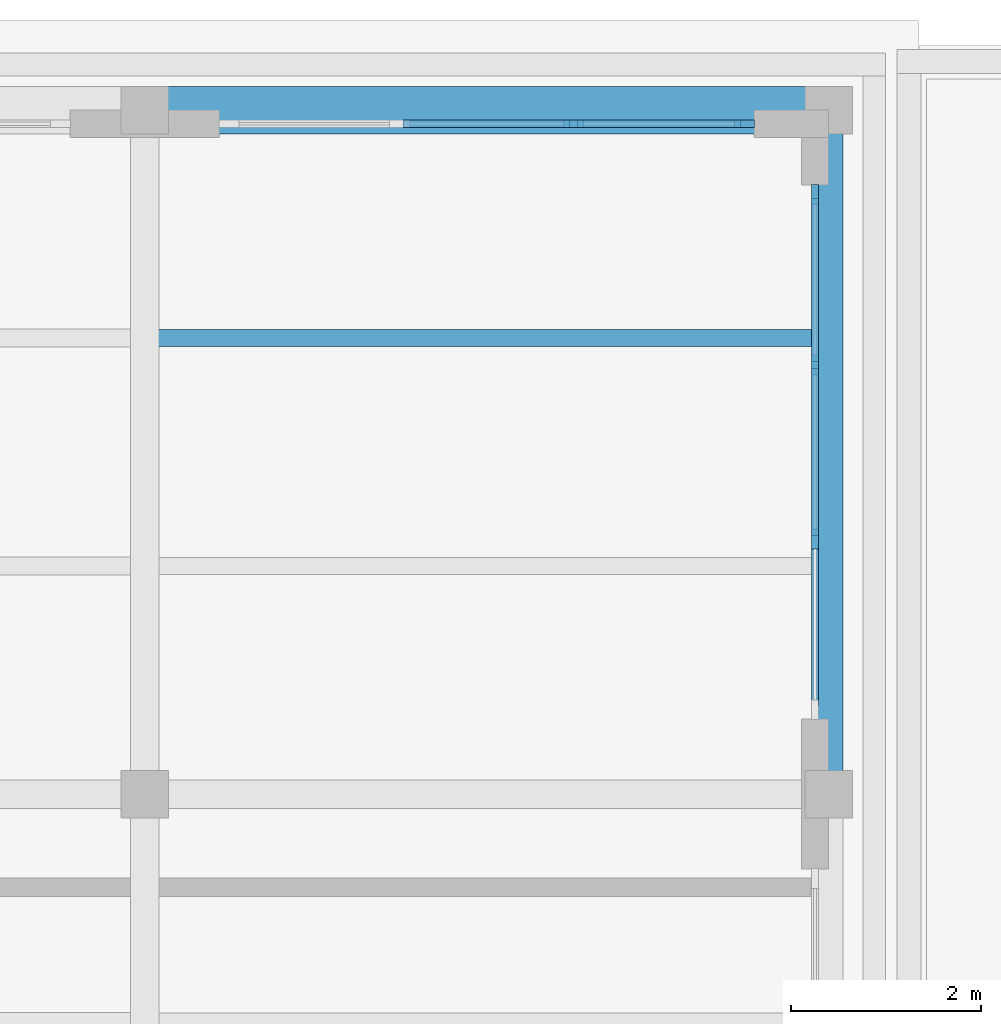
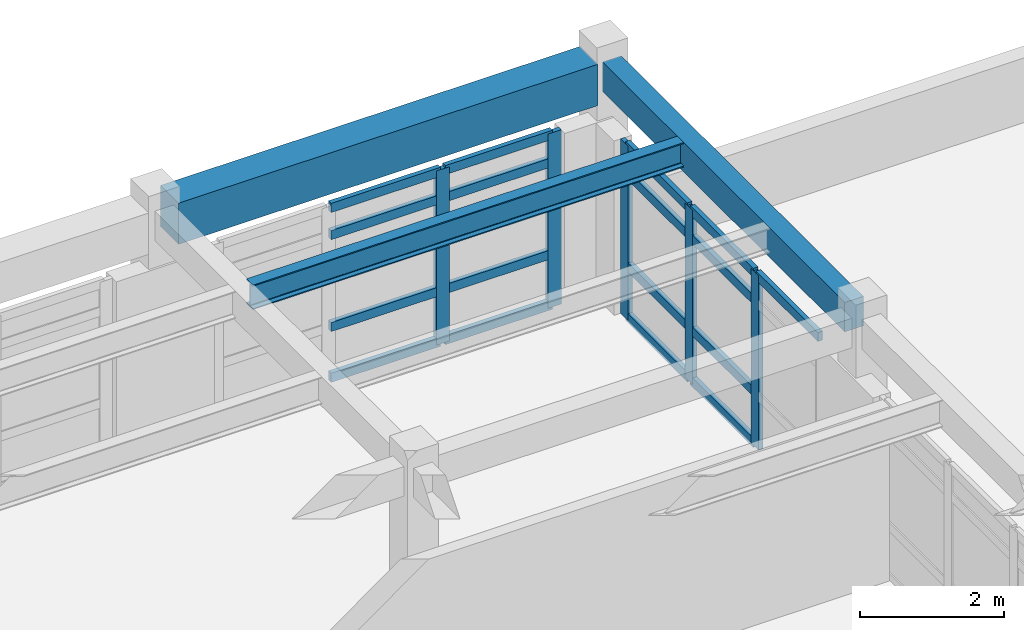
# One storey, part 7 of 12: 22 members, 3 beams, 2 elements without a shape of their own.
"""IFC4 building model written with IfcOpenShell, lengths in metres."""

from ifc_helpers import new_model, si_unit, direction, frame, origin, origin_2d, place, context, subcontext, project, spatial, rectangle, i_section, extrude, material, layer, layer_set, material_profile, profile_set, type_object, element, aggregate, save


model = new_model("IFC4")

# Units and contexts
model_context = context("Model", 3, precision=1e-05, world=origin(), true_north=direction((0.0, 1.0)))
body_context = subcontext(model_context, "Body", "Model", "MODEL_VIEW")
ifc_project = project(units=[si_unit("LENGTHUNIT", "METRE"), si_unit("AREAUNIT", "SQUARE_METRE"), si_unit("VOLUMEUNIT", "CUBIC_METRE"), si_unit("PLANEANGLEUNIT", "RADIAN"), si_unit("MASSUNIT", "GRAM", prefix="KILO")], contexts=[model_context])

# Site, building, storey
site_placement = place(None, origin())
site = spatial("IfcSite", under=ifc_project, at=site_placement, CompositionType="ELEMENT")
building_placement = place(site_placement, origin())
building = spatial("IfcBuilding", under=site, at=building_placement, Name="Solenvale Faculty of Natural Sciences", CompositionType="ELEMENT")
storey_placement = place(building_placement, frame((0.0, 0.0, 52.199951171875)))
storey = spatial("IfcBuildingStorey", under=building, at=storey_placement, Name="RF", CompositionType="ELEMENT", Elevation=52.199951171875)

# Beams
ifc_material_1 = material(Name="Concrete 40 MPa", Category="concrete")
ifc_material_profile_1 = material_profile(ifc_material_1, rectangle(XDim=0.300048828125, YDim=0.5, at=origin_2d()), Name="RC-BM-300x500")
ifc_profile_set_1 = profile_set([ifc_material_profile_1], Name="Concrete 40 MPa")
beam_type_1 = type_object("IfcBeamType", Name="BM-RC-300x500", PredefinedType="BEAM", material=ifc_profile_set_1)
beam_1_placement = place(storey_placement, frame((144.0, 108.22998046875, 3.670166015625), z_axis=(0.0, 1.0, 0.0), x_axis=(-1.0, 0.0, 0.0)))
element("IfcBeam", 1, at=beam_1_placement, inside=storey, type_object=beam_type_1, Name="RF Y-Girder X144.0 (108.0..115.2)", PredefinedType="BEAM", context=body_context, shape_type="SweptSolid", body=[
    extrude(rectangle(XDim=0.300048828125, YDim=0.5, at=origin_2d()), origin(), (0.0, 0.0, 1.0), 6.739990234375),
])
ifc_material_2 = material(Name="Precast concrete 40 MPa", Category="concrete")
ifc_material_profile_2 = material_profile(ifc_material_2, rectangle(XDim=0.5, YDim=0.699951171875, at=origin_2d()), Name="RC-BM-500x700")
ifc_profile_set_2 = profile_set([ifc_material_profile_2], Name="Precast concrete 40 MPa")
beam_type_2 = type_object("IfcBeamType", Name="BM-SPN-PRC-700", PredefinedType="SPANDREL", material=ifc_profile_set_2)
beam_2_placement = place(storey_placement, frame((137.030029296875, 115.199951171875, 3.570068359375), z_axis=(1.0, 0.0, 0.0), x_axis=(0.0, 1.0, 0.0)))
element("IfcBeam", 2, at=beam_2_placement, inside=storey, type_object=beam_type_2, Name="RF X-Girder Y115.2 (136.8..144.0)", PredefinedType="SPANDREL", context=body_context, shape_type="SweptSolid", body=[
    extrude(rectangle(XDim=0.5, YDim=0.699951171875, at=origin_2d()), origin(), (0.0, 0.0, 1.0), 6.739990234375),
])
ifc_material_3 = material(Name="Steel S355", Category="steel")
ifc_material_profile_3 = material_profile(ifc_material_3, i_section(OverallWidth=0.180908203125, OverallDepth=0.4169921875, WebThickness=0.010986328125, FlangeThickness=0.018310546875, FilletRadius=0.01611328125, at=origin_2d()), Name="W410x85")
ifc_profile_set_3 = profile_set([ifc_material_profile_3], Name="Steel S355")
beam_type_3 = type_object("IfcBeamType", Name="BM-STL-W410x85", PredefinedType="JOIST", material=ifc_profile_set_3)
beam_3_placement = place(storey_placement, frame((136.929931640625, 112.800048828125, 3.711669921875), z_axis=(1.0, 0.0, 0.0), x_axis=(0.0, 1.0, 0.0)))
element("IfcBeam", 3, at=beam_3_placement, inside=storey, type_object=beam_type_3, Name="RF Composite Floor Joist (20,16).2", PredefinedType="JOIST", context=body_context, shape_type="SweptSolid", body=[
    extrude(i_section(OverallWidth=0.180908203125, OverallDepth=0.4169921875, WebThickness=0.010986328125, FlangeThickness=0.018310546875, FilletRadius=0.01611328125, at=origin_2d()), origin(), (0.0, 0.0, 1.0), 6.940185546875),
])

# Curtain wall, members
ifc_material_4 = material(Name="Anodised bronze aluminium", Category="aluminium")
ifc_layer = layer(ifc_material_4, 0.179931640625)
ifc_layer_set = layer_set([ifc_layer], Name="Anodised bronze aluminium")
curtain_wall_type = type_object("IfcCurtainWallType", Name="CW-TWR-MOD", PredefinedType="USERDEFINED", material=ifc_layer_set)
curtain_wall_1_placement = place(storey_placement, origin())
curtain_wall_1 = element("IfcCurtainWall", 4, at=curtain_wall_1_placement, inside=storey, type_object=curtain_wall_type, Name="RF Curtain Wall CW-RF-P1-E1-B3", ObjectType="UNITISED CURTAIN WALL", PredefinedType="USERDEFINED")
ifc_material_profile_4 = material_profile(ifc_material_4, rectangle(XDim=0.074951171875, YDim=0.2099609375, at=origin_2d()), Name="ALU-MUL-75x210")
ifc_profile_set_4 = profile_set([ifc_material_profile_4], Name="Anodised bronze aluminium")
member_type_1 = type_object("IfcMemberType", Name="CWM-ALU-75x210", PredefinedType="MULLION", material=ifc_profile_set_4)
member_1_placement = place(storey_placement, frame((143.857421875, 110.683349609375, 0.0), z_axis=(0.0, 0.0, 1.0), x_axis=(-1.0, 0.0, 0.0)))
member_1 = element("IfcMember", 5, at=member_1_placement, type_object=member_type_1, Name="CW-04 mullion 2", PredefinedType="MULLION", context=body_context, shape_type="SweptSolid", body=[
    extrude(rectangle(XDim=0.074951171875, YDim=0.2099609375, at=origin_2d()), origin(), (0.0, 0.0, 1.0), 2.9599609375),
])
member_2_placement = place(storey_placement, frame((143.857421875, 112.5166015625, 0.0), z_axis=(0.0, 0.0, 1.0), x_axis=(-1.0, 0.0, 0.0)))
member_2 = element("IfcMember", 6, at=member_2_placement, type_object=member_type_1, Name="CW-04 mullion 3", PredefinedType="MULLION", context=body_context, shape_type="SweptSolid", body=[
    extrude(rectangle(XDim=0.074951171875, YDim=0.2099609375, at=origin_2d()), origin(), (0.0, 0.0, 1.0), 2.9599609375),
])
member_3_placement = place(storey_placement, frame((143.857421875, 114.3125, 0.0), z_axis=(0.0, 0.0, 1.0), x_axis=(-1.0, 0.0, 0.0)))
member_3 = element("IfcMember", 7, at=member_3_placement, type_object=member_type_1, Name="CW-04 mullion 4", PredefinedType="MULLION", context=body_context, shape_type="SweptSolid", body=[
    extrude(rectangle(XDim=0.074951171875, YDim=0.2099609375, at=origin_2d()), origin(), (0.0, 0.0, 1.0), 2.9599609375),
])

curtain_wall_2_placement = place(storey_placement, origin())
curtain_wall_2 = element("IfcCurtainWall", 8, at=curtain_wall_2_placement, inside=storey, type_object=curtain_wall_type, Name="RF Curtain Wall CW-RF-P1-E2-B1", ObjectType="UNITISED CURTAIN WALL", PredefinedType="USERDEFINED")
member_4_placement = place(storey_placement, frame((143.112548828125, 115.0576171875, 0.0), z_axis=(0.0, 0.0, 1.0), x_axis=(0.0, -1.0, 0.0)))
member_4 = element("IfcMember", 9, at=member_4_placement, type_object=member_type_1, Name="CW-04 mullion 1", PredefinedType="MULLION", context=body_context, shape_type="SweptSolid", body=[
    extrude(rectangle(XDim=0.074951171875, YDim=0.2099609375, at=origin_2d()), origin(), (0.0, 0.0, 1.0), 2.9599609375),
])
member_5_placement = place(storey_placement, frame((141.316650390625, 115.0576171875, 0.0), z_axis=(0.0, 0.0, 1.0), x_axis=(0.0, -1.0, 0.0)))
member_5 = element("IfcMember", 10, at=member_5_placement, type_object=member_type_1, Name="CW-04 mullion 2", PredefinedType="MULLION", context=body_context, shape_type="SweptSolid", body=[
    extrude(rectangle(XDim=0.074951171875, YDim=0.2099609375, at=origin_2d()), origin(), (0.0, 0.0, 1.0), 2.9599609375),
])

# Member
ifc_material_profile_5 = material_profile(ifc_material_4, rectangle(XDim=0.074951171875, YDim=0.155029296875, at=origin_2d()), Name="ALU-TRN-75x155")
ifc_profile_set_5 = profile_set([ifc_material_profile_5], Name="Anodised bronze aluminium")
member_type_2 = type_object("IfcMemberType", Name="CWT-ALU-75x155", PredefinedType="USERDEFINED", material=ifc_profile_set_5)
member_6_placement = place(storey_placement, frame((143.857421875, 108.925048828125, 2.922607421875), z_axis=(0.0, 1.0, 0.0), x_axis=(-1.0, 0.0, 0.0)))
member_6 = element("IfcMember", 11, at=member_6_placement, type_object=member_type_2, Name="CW-04 transom 1.4", ObjectType="TRANSOM", PredefinedType="USERDEFINED", context=body_context, shape_type="SweptSolid", body=[
    extrude(rectangle(XDim=0.074951171875, YDim=0.155029296875, at=origin_2d()), origin(), (0.0, 0.0, 1.0), 1.720703125),
])

member_7_placement = place(storey_placement, frame((143.857421875, 110.720947265625, 0.03759765625), z_axis=(0.0, 1.0, 0.0), x_axis=(-1.0, 0.0, 0.0)))
member_7 = element("IfcMember", 12, at=member_7_placement, type_object=member_type_2, Name="CW-04 transom 2.1", ObjectType="TRANSOM", PredefinedType="USERDEFINED", context=body_context, shape_type="SweptSolid", body=[
    extrude(rectangle(XDim=0.074951171875, YDim=0.155029296875, at=origin_2d()), origin(), (0.0, 0.0, 1.0), 1.75830078125),
])

member_8_placement = place(storey_placement, frame((143.857421875, 110.720947265625, 0.900146484375), z_axis=(0.0, 1.0, 0.0), x_axis=(-1.0, 0.0, 0.0)))
member_8 = element("IfcMember", 13, at=member_8_placement, type_object=member_type_2, Name="CW-04 transom 2.2", ObjectType="TRANSOM", PredefinedType="USERDEFINED", context=body_context, shape_type="SweptSolid", body=[
    extrude(rectangle(XDim=0.074951171875, YDim=0.155029296875, at=origin_2d()), origin(), (0.0, 0.0, 1.0), 1.75830078125),
])

member_9_placement = place(storey_placement, frame((143.857421875, 110.720947265625, 2.4599609375), z_axis=(0.0, 1.0, 0.0), x_axis=(-1.0, 0.0, 0.0)))
member_9 = element("IfcMember", 14, at=member_9_placement, type_object=member_type_2, Name="CW-04 transom 2.3", ObjectType="TRANSOM", PredefinedType="USERDEFINED", context=body_context, shape_type="SweptSolid", body=[
    extrude(rectangle(XDim=0.074951171875, YDim=0.155029296875, at=origin_2d()), origin(), (0.0, 0.0, 1.0), 1.75830078125),
])

member_10_placement = place(storey_placement, frame((143.857421875, 110.720947265625, 2.922607421875), z_axis=(0.0, 1.0, 0.0), x_axis=(-1.0, 0.0, 0.0)))
member_10 = element("IfcMember", 15, at=member_10_placement, type_object=member_type_2, Name="CW-04 transom 2.4", ObjectType="TRANSOM", PredefinedType="USERDEFINED", context=body_context, shape_type="SweptSolid", body=[
    extrude(rectangle(XDim=0.074951171875, YDim=0.155029296875, at=origin_2d()), origin(), (0.0, 0.0, 1.0), 1.75830078125),
])

member_11_placement = place(storey_placement, frame((143.857421875, 112.55419921875, 0.03759765625), z_axis=(0.0, 1.0, 0.0), x_axis=(-1.0, 0.0, 0.0)))
member_11 = element("IfcMember", 16, at=member_11_placement, type_object=member_type_2, Name="CW-04 transom 3.1", ObjectType="TRANSOM", PredefinedType="USERDEFINED", context=body_context, shape_type="SweptSolid", body=[
    extrude(rectangle(XDim=0.074951171875, YDim=0.155029296875, at=origin_2d()), origin(), (0.0, 0.0, 1.0), 1.720703125),
])

member_12_placement = place(storey_placement, frame((143.857421875, 112.55419921875, 0.900146484375), z_axis=(0.0, 1.0, 0.0), x_axis=(-1.0, 0.0, 0.0)))
member_12 = element("IfcMember", 17, at=member_12_placement, type_object=member_type_2, Name="CW-04 transom 3.2", ObjectType="TRANSOM", PredefinedType="USERDEFINED", context=body_context, shape_type="SweptSolid", body=[
    extrude(rectangle(XDim=0.074951171875, YDim=0.155029296875, at=origin_2d()), origin(), (0.0, 0.0, 1.0), 1.720703125),
])

member_13_placement = place(storey_placement, frame((143.857421875, 112.55419921875, 2.4599609375), z_axis=(0.0, 1.0, 0.0), x_axis=(-1.0, 0.0, 0.0)))
member_13 = element("IfcMember", 18, at=member_13_placement, type_object=member_type_2, Name="CW-04 transom 3.3", ObjectType="TRANSOM", PredefinedType="USERDEFINED", context=body_context, shape_type="SweptSolid", body=[
    extrude(rectangle(XDim=0.074951171875, YDim=0.155029296875, at=origin_2d()), origin(), (0.0, 0.0, 1.0), 1.720703125),
])

member_14_placement = place(storey_placement, frame((143.857421875, 112.55419921875, 2.922607421875), z_axis=(0.0, 1.0, 0.0), x_axis=(-1.0, 0.0, 0.0)))
member_14 = element("IfcMember", 19, at=member_14_placement, type_object=member_type_2, Name="CW-04 transom 3.4", ObjectType="TRANSOM", PredefinedType="USERDEFINED", context=body_context, shape_type="SweptSolid", body=[
    extrude(rectangle(XDim=0.074951171875, YDim=0.155029296875, at=origin_2d()), origin(), (0.0, 0.0, 1.0), 1.720703125),
])

aggregate(curtain_wall_1, [member_1, member_2, member_3, member_6, member_7, member_8, member_9, member_10, member_11, member_12, member_13, member_14])

member_15_placement = place(storey_placement, frame((143.074951171875, 115.0576171875, 0.03759765625), z_axis=(-1.0, 0.0, 0.0), x_axis=(0.0, -1.0, 0.0)))
member_15 = element("IfcMember", 20, at=member_15_placement, type_object=member_type_2, Name="CW-04 transom 1.1", ObjectType="TRANSOM", PredefinedType="USERDEFINED", context=body_context, shape_type="SweptSolid", body=[
    extrude(rectangle(XDim=0.074951171875, YDim=0.155029296875, at=origin_2d()), origin(), (0.0, 0.0, 1.0), 1.720703125),
])

member_16_placement = place(storey_placement, frame((143.074951171875, 115.0576171875, 0.900146484375), z_axis=(-1.0, 0.0, 0.0), x_axis=(0.0, -1.0, 0.0)))
member_16 = element("IfcMember", 21, at=member_16_placement, type_object=member_type_2, Name="CW-04 transom 1.2", ObjectType="TRANSOM", PredefinedType="USERDEFINED", context=body_context, shape_type="SweptSolid", body=[
    extrude(rectangle(XDim=0.074951171875, YDim=0.155029296875, at=origin_2d()), origin(), (0.0, 0.0, 1.0), 1.720703125),
])

member_17_placement = place(storey_placement, frame((143.074951171875, 115.0576171875, 2.4599609375), z_axis=(-1.0, 0.0, 0.0), x_axis=(0.0, -1.0, 0.0)))
member_17 = element("IfcMember", 22, at=member_17_placement, type_object=member_type_2, Name="CW-04 transom 1.3", ObjectType="TRANSOM", PredefinedType="USERDEFINED", context=body_context, shape_type="SweptSolid", body=[
    extrude(rectangle(XDim=0.074951171875, YDim=0.155029296875, at=origin_2d()), origin(), (0.0, 0.0, 1.0), 1.720703125),
])

member_18_placement = place(storey_placement, frame((143.074951171875, 115.0576171875, 2.922607421875), z_axis=(-1.0, 0.0, 0.0), x_axis=(0.0, -1.0, 0.0)))
member_18 = element("IfcMember", 23, at=member_18_placement, type_object=member_type_2, Name="CW-04 transom 1.4", ObjectType="TRANSOM", PredefinedType="USERDEFINED", context=body_context, shape_type="SweptSolid", body=[
    extrude(rectangle(XDim=0.074951171875, YDim=0.155029296875, at=origin_2d()), origin(), (0.0, 0.0, 1.0), 1.720703125),
])

member_19_placement = place(storey_placement, frame((141.279052734375, 115.0576171875, 0.03759765625), z_axis=(-1.0, 0.0, 0.0), x_axis=(0.0, -1.0, 0.0)))
member_19 = element("IfcMember", 24, at=member_19_placement, type_object=member_type_2, Name="CW-04 transom 2.1", ObjectType="TRANSOM", PredefinedType="USERDEFINED", context=body_context, shape_type="SweptSolid", body=[
    extrude(rectangle(XDim=0.074951171875, YDim=0.155029296875, at=origin_2d()), origin(), (0.0, 0.0, 1.0), 1.75830078125),
])

member_20_placement = place(storey_placement, frame((141.279052734375, 115.0576171875, 0.900146484375), z_axis=(-1.0, 0.0, 0.0), x_axis=(0.0, -1.0, 0.0)))
member_20 = element("IfcMember", 25, at=member_20_placement, type_object=member_type_2, Name="CW-04 transom 2.2", ObjectType="TRANSOM", PredefinedType="USERDEFINED", context=body_context, shape_type="SweptSolid", body=[
    extrude(rectangle(XDim=0.074951171875, YDim=0.155029296875, at=origin_2d()), origin(), (0.0, 0.0, 1.0), 1.75830078125),
])

member_21_placement = place(storey_placement, frame((141.279052734375, 115.0576171875, 2.4599609375), z_axis=(-1.0, 0.0, 0.0), x_axis=(0.0, -1.0, 0.0)))
member_21 = element("IfcMember", 26, at=member_21_placement, type_object=member_type_2, Name="CW-04 transom 2.3", ObjectType="TRANSOM", PredefinedType="USERDEFINED", context=body_context, shape_type="SweptSolid", body=[
    extrude(rectangle(XDim=0.074951171875, YDim=0.155029296875, at=origin_2d()), origin(), (0.0, 0.0, 1.0), 1.75830078125),
])

member_22_placement = place(storey_placement, frame((141.279052734375, 115.0576171875, 2.922607421875), z_axis=(-1.0, 0.0, 0.0), x_axis=(0.0, -1.0, 0.0)))
member_22 = element("IfcMember", 27, at=member_22_placement, type_object=member_type_2, Name="CW-04 transom 2.4", ObjectType="TRANSOM", PredefinedType="USERDEFINED", context=body_context, shape_type="SweptSolid", body=[
    extrude(rectangle(XDim=0.074951171875, YDim=0.155029296875, at=origin_2d()), origin(), (0.0, 0.0, 1.0), 1.75830078125),
])

aggregate(curtain_wall_2, [member_4, member_5, member_15, member_16, member_17, member_18, member_19, member_20, member_21, member_22])

save(model, "model.ifc")
